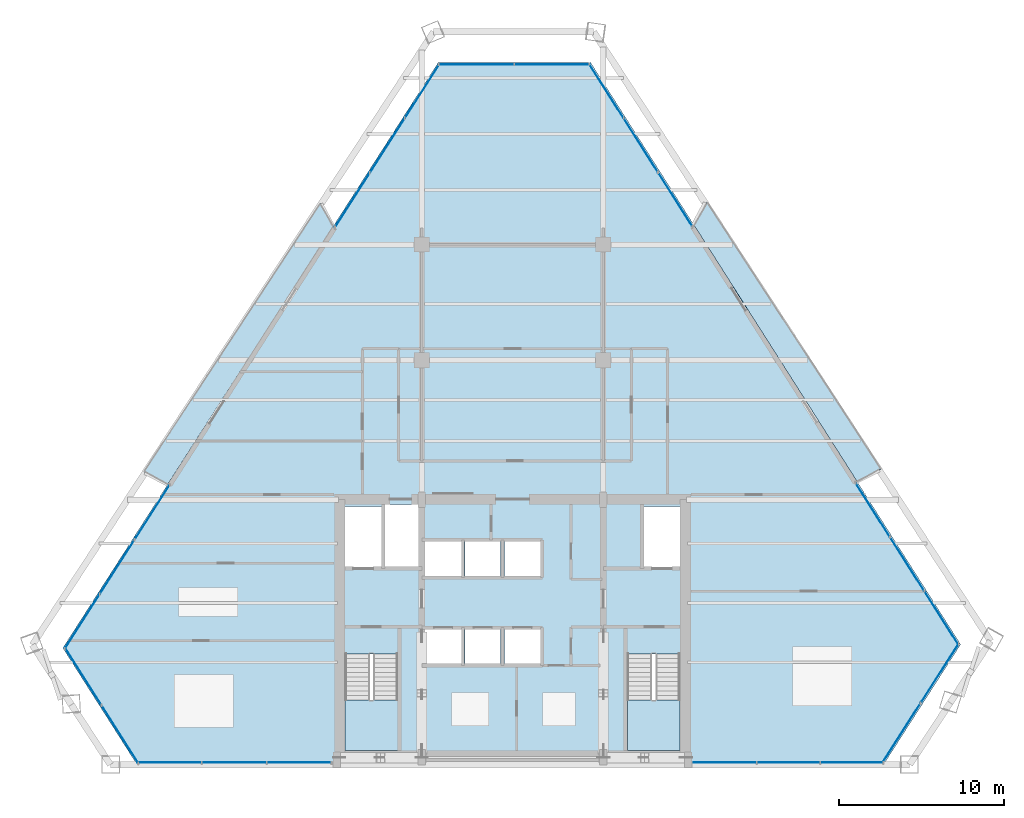
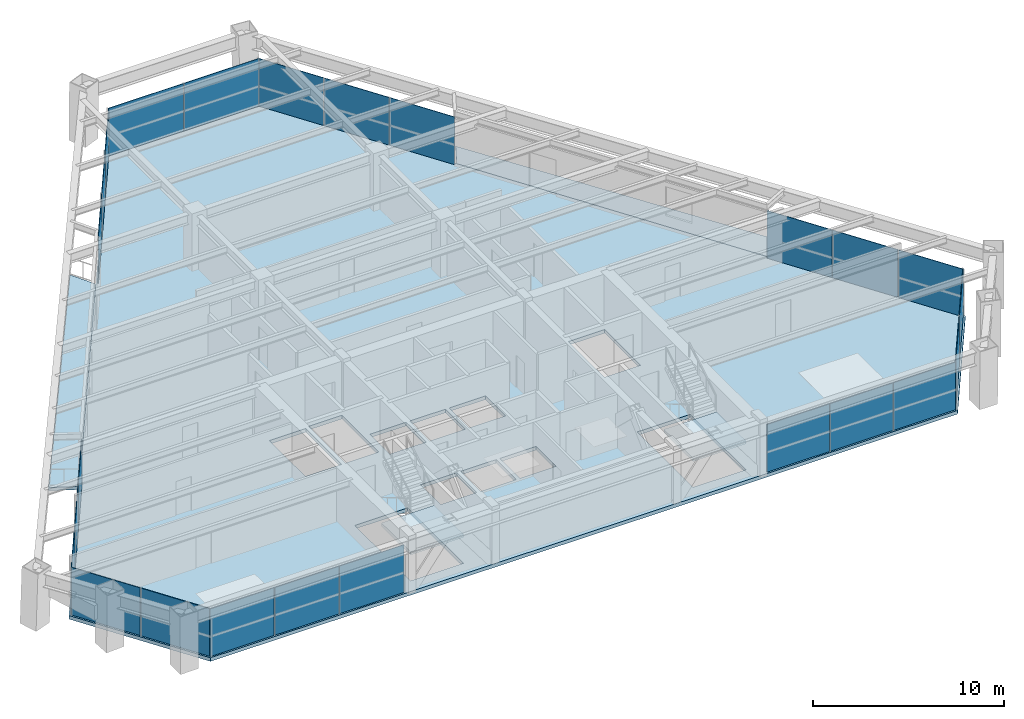
# One storey, part 10 of 15: 24 plates, 5 slabs, 11 elements without a shape of their own.
"""IFC4 building model written with IfcOpenShell, lengths in metres."""

from ifc_helpers import new_model, si_unit, direction, frame, origin, origin_2d, place, context, subcontext, project, spatial, polyline, rectangle, outline, extrude, source, transform, mapped, material, layer, layer_set, type_object, element, aggregate, save


model = new_model("IFC4")

# Units and contexts
model_context = context("Model", 3, precision=1e-05, world=origin(), true_north=direction((0.0, 1.0)))
body_context = subcontext(model_context, "Body", "Model", "MODEL_VIEW")
ifc_project = project(units=[si_unit("LENGTHUNIT", "METRE"), si_unit("AREAUNIT", "SQUARE_METRE"), si_unit("VOLUMEUNIT", "CUBIC_METRE"), si_unit("PLANEANGLEUNIT", "RADIAN"), si_unit("MASSUNIT", "GRAM", prefix="KILO")], contexts=[model_context])

# Site, building, storey
site_placement = place(None, origin())
site = spatial("IfcSite", under=ifc_project, at=site_placement, CompositionType="ELEMENT")
building_placement = place(site_placement, origin())
building = spatial("IfcBuilding", under=site, at=building_placement, Name="Varnakhor Terracotta Tower", CompositionType="ELEMENT")
storey_placement = place(building_placement, frame((0.0, 0.0, 155.199951171875)))
storey = spatial("IfcBuildingStorey", under=building, at=storey_placement, Name="L39", CompositionType="ELEMENT", Elevation=155.199951171875)

# Stair, slab
ifc_material_1 = material(Name="Concrete C40/50", Category="concrete")
stair_type = type_object("IfcStairType", Name="STR-CORE-OFFICE-1500", PredefinedType="HALF_TURN_STAIR", material=ifc_material_1)
stair_1_placement = place(storey_placement, origin())
stair_1 = element("IfcStair", 1, at=stair_1_placement, inside=storey, type_object=stair_type, Name="L39 Core Exit Stair ST-1", PredefinedType="HALF_TURN_STAIR")
ifc_layer_1 = layer(ifc_material_1, 0.179931640625, Name="Concrete C40/50")
ifc_layer_set_1 = layer_set([ifc_layer_1], Name="Concrete C40/50")
slab_type_1 = type_object("IfcSlabType", Name="SLB-LANDING-180", PredefinedType="LANDING", material=ifc_layer_set_1)
slab_1_placement = place(storey_placement, frame((0.0, 0.0, 1.650146484375)))
slab_1 = element("IfcSlab", 2, at=slab_1_placement, type_object=slab_type_1, Name="ST-1 landing 1", PredefinedType="LANDING", context=body_context, shape_type="SweptSolid", body=[
    extrude(outline(polyline([(-10.14990234375, 3.909912109375), (-10.14990234375, 0.85009765625), (-6.949951171875, 0.85009765625), (-6.949951171875, 3.909912109375), (-10.14990234375, 3.909912109375)])), origin(), (0.0, 0.0, 1.0), 0.199951171875),
])
aggregate(stair_1, [slab_1])

stair_2_placement = place(storey_placement, origin())
stair_2 = element("IfcStair", 3, at=stair_2_placement, inside=storey, type_object=stair_type, Name="L39 Core Exit Stair ST-2", PredefinedType="HALF_TURN_STAIR")
slab_2_placement = place(storey_placement, frame((0.0, 0.0, 1.650146484375)))
slab_2 = element("IfcSlab", 4, at=slab_2_placement, type_object=slab_type_1, Name="ST-2 landing 1", PredefinedType="LANDING", context=body_context, shape_type="SweptSolid", body=[
    extrude(outline(polyline([(6.949951171875, 3.909912109375), (6.949951171875, 0.85009765625), (10.14990234375, 0.85009765625), (10.14990234375, 3.909912109375), (6.949951171875, 3.909912109375)])), origin(), (0.0, 0.0, 1.0), 0.199951171875),
])
aggregate(stair_2, [slab_2])

# Slabs
ifc_layer_2 = layer(ifc_material_1, 0.195068359375, Name="Concrete C40/50")
ifc_layer_set_2 = layer_set([ifc_layer_2], Name="Concrete C40/50")
slab_type_2 = type_object("IfcSlabType", Name="SLB-LOGGIA-EXT-195", PredefinedType="FLOOR", material=ifc_layer_set_2)
slab_3_placement = place(storey_placement, frame((0.0, 0.0, -0.195068359375)))
element("IfcSlab", 5, at=slab_3_placement, inside=storey, type_object=slab_type_2, Name="L39 E Recessed Outdoor Loggia Slab", PredefinedType="FLOOR", context=body_context, shape_type="SweptSolid", body=[
    extrude(outline(polyline([(11.763427734375, 34.07421875), (22.312744140625, 17.89306640625), (20.87109375, 17.152099609375), (11.00732421875, 32.6630859375), (11.763427734375, 34.07421875)])), origin(), (0.0, 0.0, 1.0), 0.195068359375),
])
slab_4_placement = place(storey_placement, frame((0.0, 0.0, -0.195068359375)))
element("IfcSlab", 6, at=slab_4_placement, inside=storey, type_object=slab_type_2, Name="L39 W Recessed Outdoor Loggia Slab", PredefinedType="FLOOR", context=body_context, shape_type="SweptSolid", body=[
    extrude(outline(polyline([(-22.330078125, 17.728759765625), (-11.6328125, 34.010498046875), (-10.8740234375, 32.60205078125), (-14.015380859375, 27.702880859375), (-20.88134765625, 16.99462890625), (-22.330078125, 17.728759765625)])), origin(), (0.0, 0.0, 1.0), 0.195068359375),
])
ifc_layer_3 = layer(ifc_material_1, 0.22998046875, Name="Concrete C40/50")
ifc_layer_set_3 = layer_set([ifc_layer_3], Name="Concrete C40/50")
slab_type_3 = type_object("IfcSlabType", Name="SLB-OFF-230", PredefinedType="FLOOR", material=ifc_layer_set_3)
slab_5_placement = place(storey_placement, frame((0.0, 0.0, -0.22998046875)))
element("IfcSlab", 7, at=slab_5_placement, inside=storey, type_object=slab_type_3, Name="L39 Structural Floor Slab", PredefinedType="FLOOR", context=body_context, shape_type="SweptSolid", body=[
    extrude(outline(polyline([(-27.24951171875, 7.0625), (-4.505859375, 42.533935546875), (4.73046875, 42.533935546875), (27.14794921875, 7.28125), (22.479248046875, 0.0), (-22.75830078125, 0.0), (-27.24951171875, 7.0625)]), holes=[polyline([(-6.949951171875, 0.85009765625), (-6.949951171875, 6.695068359375), (-10.14990234375, 6.695068359375), (-10.14990234375, 0.85009765625), (-6.949951171875, 0.85009765625)]), polyline([(-3.10009765625, 6.10009765625), (-3.10009765625, 8.199951171875), (-5.300048828125, 8.199951171875), (-5.300048828125, 6.10009765625), (-3.10009765625, 6.10009765625)]), polyline([(-0.719970703125, 6.10009765625), (-0.719970703125, 8.199951171875), (-2.8798828125, 8.199951171875), (-2.8798828125, 6.10009765625), (-0.719970703125, 6.10009765625)]), polyline([(-5.300048828125, 11.419921875), (-3.10009765625, 11.419921875), (-3.10009765625, 13.52001953125), (-5.300048828125, 13.52001953125), (-5.300048828125, 11.419921875)]), polyline([(-10.14990234375, 11.8798828125), (-7.949951171875, 11.8798828125), (-7.949951171875, 15.64990234375), (-10.14990234375, 15.64990234375), (-10.14990234375, 11.8798828125)]), polyline([(-5.699951171875, 11.8798828125), (-5.699951171875, 15.75), (-7.72998046875, 15.75), (-7.72998046875, 11.8798828125), (-5.699951171875, 11.8798828125)]), polyline([(6.949951171875, 0.85009765625), (10.14990234375, 0.85009765625), (10.14990234375, 6.695068359375), (6.949951171875, 6.695068359375), (6.949951171875, 0.85009765625)]), polyline([(-0.5, 6.10009765625), (1.699951171875, 6.10009765625), (1.699951171875, 8.199951171875), (-0.5, 8.199951171875), (-0.5, 6.10009765625)]), polyline([(-0.719970703125, 11.419921875), (-0.719970703125, 13.52001953125), (-2.8798828125, 13.52001953125), (-2.8798828125, 11.419921875), (-0.719970703125, 11.419921875)]), polyline([(-0.5, 11.419921875), (1.699951171875, 11.419921875), (1.699951171875, 13.52001953125), (-0.5, 13.52001953125), (-0.5, 11.419921875)]), polyline([(7.949951171875, 11.8798828125), (10.14990234375, 11.8798828125), (10.14990234375, 15.64990234375), (7.949951171875, 15.64990234375), (7.949951171875, 11.8798828125)])]), origin(), (0.0, 0.0, 1.0), 0.22998046875),
])

# Curtain wall, plates
ifc_material_2 = material(Name="Anodised Aluminium Curtain Wall System", Category="aluminium")
curtain_wall_type = type_object("IfcCurtainWallType", Name="CW-SYS-MID-OFFICE", PredefinedType="NOTDEFINED", material=ifc_material_2)
curtain_wall_1_placement = place(storey_placement, origin())
curtain_wall_1 = element("IfcCurtainWall", 8, at=curtain_wall_1_placement, inside=storey, type_object=curtain_wall_type, Name="L39 W Facet Curtain Wall 1", PredefinedType="NOTDEFINED")
ifc_material_3 = material(Name="Solar-Control Low-E Insulated Glass Panel", Category="glass")
ifc_layer_4 = layer(ifc_material_3, 0.035888671875, Name="Solar-Control Low-E Insulated Glass Panel")
ifc_layer_set_4 = layer_set([ifc_layer_4], Name="Solar-Control Low-E Insulated Glass Panel")
plate_type = type_object("IfcPlateType", Name="CWP-03", PredefinedType="CURTAIN_PANEL", material=ifc_layer_set_4)
shared_shape_1 = source(origin(), body_context, "Body", "SweptSolid", [
    extrude(rectangle(XDim=3.872802734375, YDim=0.035888671875, at=origin_2d()), origin(), (0.0, 0.0, 1.0), 3.050048828125),
])
plate_1_placement = place(storey_placement, frame((-26.076416015625, 8.669921875, 0.0), z_axis=(0.0, 0.0, 1.0), x_axis=(0.539755555481, 0.841821798439, 0.0)))
plate_1 = element("IfcPlate", 9, at=plate_1_placement, type_object=plate_type, Name="L39 W Facet Curtain Wall 1 Glazed Panel 1", PredefinedType="CURTAIN_PANEL", context=body_context, shape_type="MappedRepresentation", body=[
    mapped(shared_shape_1, transform((0.0, 0.0, 0.0), scale=1.0)),
])
plate_2_placement = place(storey_placement, frame((-23.96435546875, 11.9638671875, 0.0), z_axis=(0.0, 0.0, 1.0), x_axis=(0.539755555481, 0.841821798439, 0.0)))
plate_2 = element("IfcPlate", 10, at=plate_2_placement, type_object=plate_type, Name="L39 W Facet Curtain Wall 1 Glazed Panel 2", PredefinedType="CURTAIN_PANEL", context=body_context, shape_type="MappedRepresentation", body=[
    mapped(shared_shape_1, transform((0.0, 0.0, 0.0), scale=1.0)),
])
plate_3_placement = place(storey_placement, frame((-21.8525390625, 15.257568359375, 0.0), z_axis=(0.0, 0.0, 1.0), x_axis=(0.539755555481, 0.841821798439, 0.0)))
plate_3 = element("IfcPlate", 11, at=plate_3_placement, type_object=plate_type, Name="L39 W Facet Curtain Wall 1 Glazed Panel 3", PredefinedType="CURTAIN_PANEL", context=body_context, shape_type="MappedRepresentation", body=[
    mapped(shared_shape_1, transform((0.0, 0.0, 0.0), scale=1.0)),
])
aggregate(curtain_wall_1, [plate_1, plate_2, plate_3])

curtain_wall_2_placement = place(storey_placement, origin())
curtain_wall_2 = element("IfcCurtainWall", 12, at=curtain_wall_2_placement, inside=storey, type_object=curtain_wall_type, Name="L39 W Facet Curtain Wall 2", PredefinedType="NOTDEFINED")
plate_4_placement = place(storey_placement, frame((-9.700927734375, 34.20947265625, 0.0), z_axis=(0.0, 0.0, 1.0), x_axis=(0.539755555481, 0.841821798439, 0.0)))
plate_4 = element("IfcPlate", 13, at=plate_4_placement, type_object=plate_type, Name="L39 W Facet Curtain Wall 2 Glazed Panel 1", PredefinedType="CURTAIN_PANEL", context=body_context, shape_type="MappedRepresentation", body=[
    mapped(shared_shape_1, transform((0.0, 0.0, 0.0), scale=1.0)),
])
plate_5_placement = place(storey_placement, frame((-7.589111328125, 37.503173828125, 0.0), z_axis=(0.0, 0.0, 1.0), x_axis=(0.539755555481, 0.841821798439, 0.0)))
plate_5 = element("IfcPlate", 14, at=plate_5_placement, type_object=plate_type, Name="L39 W Facet Curtain Wall 2 Glazed Panel 2", PredefinedType="CURTAIN_PANEL", context=body_context, shape_type="MappedRepresentation", body=[
    mapped(shared_shape_1, transform((0.0, 0.0, 0.0), scale=1.0)),
])
plate_6_placement = place(storey_placement, frame((-5.47705078125, 40.797119140625, 0.0), z_axis=(0.0, 0.0, 1.0), x_axis=(0.539755555481, 0.841821798439, 0.0)))
plate_6 = element("IfcPlate", 15, at=plate_6_placement, type_object=plate_type, Name="L39 W Facet Curtain Wall 2 Glazed Panel 3", PredefinedType="CURTAIN_PANEL", context=body_context, shape_type="MappedRepresentation", body=[
    mapped(shared_shape_1, transform((0.0, 0.0, 0.0), scale=1.0)),
])
aggregate(curtain_wall_2, [plate_4, plate_5, plate_6])

curtain_wall_3_placement = place(storey_placement, origin())
curtain_wall_3 = element("IfcCurtainWall", 16, at=curtain_wall_3_placement, inside=storey, type_object=curtain_wall_type, Name="L39 Facet Curtain Wall 2", PredefinedType="NOTDEFINED")
shared_shape_2 = source(origin(), body_context, "Body", "SweptSolid", [
    extrude(rectangle(XDim=4.548095703125, YDim=0.035888671875, at=origin_2d()), origin(), (0.0, 0.0, 1.0), 3.050048828125),
])
plate_7_placement = place(storey_placement, frame((-2.181884765625, 42.4140625, 0.0), z_axis=(0.0, 0.0, 1.0), x_axis=(1.0, 0.0, 0.0)))
plate_7 = element("IfcPlate", 17, at=plate_7_placement, type_object=plate_type, Name="L39 Facet Curtain Wall 2 Glazed Panel 1", PredefinedType="CURTAIN_PANEL", context=body_context, shape_type="MappedRepresentation", body=[
    mapped(shared_shape_2, transform((0.0, 0.0, 0.0), scale=1.0)),
])
plate_8_placement = place(storey_placement, frame((2.406494140625, 42.4140625, 0.0), z_axis=(0.0, 0.0, 1.0), x_axis=(1.0, 0.0, 0.0)))
plate_8 = element("IfcPlate", 18, at=plate_8_placement, type_object=plate_type, Name="L39 Facet Curtain Wall 2 Glazed Panel 2", PredefinedType="CURTAIN_PANEL", context=body_context, shape_type="MappedRepresentation", body=[
    mapped(shared_shape_2, transform((0.0, 0.0, 0.0), scale=1.0)),
])
aggregate(curtain_wall_3, [plate_7, plate_8])

curtain_wall_4_placement = place(storey_placement, origin())
curtain_wall_4 = element("IfcCurtainWall", 19, at=curtain_wall_4_placement, inside=storey, type_object=curtain_wall_type, Name="L39 E Facet Curtain Wall 1", PredefinedType="NOTDEFINED")
shared_shape_3 = source(origin(), body_context, "Body", "SweptSolid", [
    extrude(rectangle(XDim=3.839111328125, YDim=0.035888671875, at=origin_2d()), origin(), (0.0, 0.0, 1.0), 3.050048828125),
])
plate_9_placement = place(storey_placement, frame((5.68603515625, 40.8076171875, 0.0), z_axis=(0.0, 0.0, 1.0), x_axis=(0.536592861915, -0.843841276865, 0.0)))
plate_9 = element("IfcPlate", 20, at=plate_9_placement, type_object=plate_type, Name="L39 E Facet Curtain Wall 1 Glazed Panel 1", PredefinedType="CURTAIN_PANEL", context=body_context, shape_type="MappedRepresentation", body=[
    mapped(shared_shape_3, transform((0.0, 0.0, 0.0), scale=1.0)),
])
plate_10_placement = place(storey_placement, frame((7.767578125, 37.5341796875, 0.0), z_axis=(0.0, 0.0, 1.0), x_axis=(0.536592861915, -0.843841276865, 0.0)))
plate_10 = element("IfcPlate", 21, at=plate_10_placement, type_object=plate_type, Name="L39 E Facet Curtain Wall 1 Glazed Panel 2", PredefinedType="CURTAIN_PANEL", context=body_context, shape_type="MappedRepresentation", body=[
    mapped(shared_shape_3, transform((0.0, 0.0, 0.0), scale=1.0)),
])
plate_11_placement = place(storey_placement, frame((9.849365234375, 34.2607421875, 0.0), z_axis=(0.0, 0.0, 1.0), x_axis=(0.536592861915, -0.843841276865, 0.0)))
plate_11 = element("IfcPlate", 22, at=plate_11_placement, type_object=plate_type, Name="L39 E Facet Curtain Wall 1 Glazed Panel 3", PredefinedType="CURTAIN_PANEL", context=body_context, shape_type="MappedRepresentation", body=[
    mapped(shared_shape_3, transform((0.0, 0.0, 0.0), scale=1.0)),
])
aggregate(curtain_wall_4, [plate_9, plate_10, plate_11])

curtain_wall_5_placement = place(storey_placement, origin())
curtain_wall_5 = element("IfcCurtainWall", 23, at=curtain_wall_5_placement, inside=storey, type_object=curtain_wall_type, Name="L39 E Facet Curtain Wall 2", PredefinedType="NOTDEFINED")
plate_12_placement = place(storey_placement, frame((21.82666015625, 15.425537109375, 0.0), z_axis=(0.0, 0.0, 1.0), x_axis=(0.536592861915, -0.843841276865, 0.0)))
plate_12 = element("IfcPlate", 24, at=plate_12_placement, type_object=plate_type, Name="L39 E Facet Curtain Wall 2 Glazed Panel 1", PredefinedType="CURTAIN_PANEL", context=body_context, shape_type="MappedRepresentation", body=[
    mapped(shared_shape_3, transform((0.0, 0.0, 0.0), scale=1.0)),
])
plate_13_placement = place(storey_placement, frame((23.908203125, 12.152099609375, 0.0), z_axis=(0.0, 0.0, 1.0), x_axis=(0.536592861915, -0.843841276865, 0.0)))
plate_13 = element("IfcPlate", 25, at=plate_13_placement, type_object=plate_type, Name="L39 E Facet Curtain Wall 2 Glazed Panel 2", PredefinedType="CURTAIN_PANEL", context=body_context, shape_type="MappedRepresentation", body=[
    mapped(shared_shape_3, transform((0.0, 0.0, 0.0), scale=1.0)),
])
plate_14_placement = place(storey_placement, frame((25.98974609375, 8.87890625, 0.0), z_axis=(0.0, 0.0, 1.0), x_axis=(0.536592861915, -0.843841276865, 0.0)))
plate_14 = element("IfcPlate", 26, at=plate_14_placement, type_object=plate_type, Name="L39 E Facet Curtain Wall 2 Glazed Panel 3", PredefinedType="CURTAIN_PANEL", context=body_context, shape_type="MappedRepresentation", body=[
    mapped(shared_shape_3, transform((0.0, 0.0, 0.0), scale=1.0)),
])
aggregate(curtain_wall_5, [plate_12, plate_13, plate_14])

curtain_wall_6_placement = place(storey_placement, origin())
curtain_wall_6 = element("IfcCurtainWall", 27, at=curtain_wall_6_placement, inside=storey, type_object=curtain_wall_type, Name="L39 Facet Curtain Wall 4", PredefinedType="NOTDEFINED")
shared_shape_4 = source(origin(), body_context, "Body", "SweptSolid", [
    extrude(rectangle(XDim=4.254638671875, YDim=0.035888671875, at=origin_2d()), origin(), (0.0, 0.0, 1.0), 3.050048828125),
])
plate_15_placement = place(storey_placement, frame((25.87158203125, 5.512939453125, 0.0), z_axis=(0.0, 0.0, 1.0), x_axis=(-0.539755555481, -0.841821798439, 0.0)))
plate_15 = element("IfcPlate", 28, at=plate_15_placement, type_object=plate_type, Name="L39 Facet Curtain Wall 4 Glazed Panel 1", PredefinedType="CURTAIN_PANEL", context=body_context, shape_type="MappedRepresentation", body=[
    mapped(shared_shape_4, transform((0.0, 0.0, 0.0), scale=1.0)),
])
plate_16_placement = place(storey_placement, frame((23.5537109375, 1.897705078125, 0.0), z_axis=(0.0, 0.0, 1.0), x_axis=(-0.539755555481, -0.841821798439, 0.0)))
plate_16 = element("IfcPlate", 29, at=plate_16_placement, type_object=plate_type, Name="L39 Facet Curtain Wall 4 Glazed Panel 2", PredefinedType="CURTAIN_PANEL", context=body_context, shape_type="MappedRepresentation", body=[
    mapped(shared_shape_4, transform((0.0, 0.0, 0.0), scale=1.0)),
])
aggregate(curtain_wall_6, [plate_15, plate_16])

curtain_wall_7_placement = place(storey_placement, origin())
curtain_wall_7 = element("IfcCurtainWall", 30, at=curtain_wall_7_placement, inside=storey, type_object=curtain_wall_type, Name="L39 South Wing Curtain Wall SSE", PredefinedType="NOTDEFINED")
shared_shape_5 = source(origin(), body_context, "Body", "SweptSolid", [
    extrude(rectangle(XDim=3.793212890625, YDim=0.035888671875, at=origin_2d()), origin(), (0.0, 0.0, 1.0), 3.050048828125),
])
plate_17_placement = place(storey_placement, frame((20.552734375, 0.1201171875, 0.0), z_axis=(0.0, 0.0, 1.0), x_axis=(-1.0, 0.0, 0.0)))
plate_17 = element("IfcPlate", 31, at=plate_17_placement, type_object=plate_type, Name="L39 South Wing Curtain Wall SSE Glazed Panel 1", PredefinedType="CURTAIN_PANEL", context=body_context, shape_type="MappedRepresentation", body=[
    mapped(shared_shape_5, transform((0.0, 0.0, 0.0), scale=1.0)),
])
plate_18_placement = place(storey_placement, frame((16.7197265625, 0.1201171875, 0.0), z_axis=(0.0, 0.0, 1.0), x_axis=(-1.0, 0.0, 0.0)))
plate_18 = element("IfcPlate", 32, at=plate_18_placement, type_object=plate_type, Name="L39 South Wing Curtain Wall SSE Glazed Panel 2", PredefinedType="CURTAIN_PANEL", context=body_context, shape_type="MappedRepresentation", body=[
    mapped(shared_shape_5, transform((0.0, 0.0, 0.0), scale=1.0)),
])
plate_19_placement = place(storey_placement, frame((12.886474609375, 0.1201171875, 0.0), z_axis=(0.0, 0.0, 1.0), x_axis=(-1.0, 0.0, 0.0)))
plate_19 = element("IfcPlate", 33, at=plate_19_placement, type_object=plate_type, Name="L39 South Wing Curtain Wall SSE Glazed Panel 3", PredefinedType="CURTAIN_PANEL", context=body_context, shape_type="MappedRepresentation", body=[
    mapped(shared_shape_5, transform((0.0, 0.0, 0.0), scale=1.0)),
])
aggregate(curtain_wall_7, [plate_17, plate_18, plate_19])

curtain_wall_8_placement = place(storey_placement, origin())
curtain_wall_8 = element("IfcCurtainWall", 34, at=curtain_wall_8_placement, inside=storey, type_object=curtain_wall_type, Name="L39 South Wing Curtain Wall SSW", PredefinedType="NOTDEFINED")
shared_shape_6 = source(origin(), body_context, "Body", "SweptSolid", [
    extrude(rectangle(XDim=3.885986328125, YDim=0.035888671875, at=origin_2d()), origin(), (0.0, 0.0, 1.0), 3.050048828125),
])
plate_20_placement = place(storey_placement, frame((-12.93310546875, 0.1201171875, 0.0), z_axis=(0.0, 0.0, 1.0), x_axis=(-1.0, 0.0, 0.0)))
plate_20 = element("IfcPlate", 35, at=plate_20_placement, type_object=plate_type, Name="L39 South Wing Curtain Wall SSW Glazed Panel 1", PredefinedType="CURTAIN_PANEL", context=body_context, shape_type="MappedRepresentation", body=[
    mapped(shared_shape_6, transform((0.0, 0.0, 0.0), scale=1.0)),
])
plate_21_placement = place(storey_placement, frame((-20.785400390625, 0.1201171875, 0.0), z_axis=(0.0, 0.0, 1.0), x_axis=(-1.0, 0.0, 0.0)))
plate_21 = element("IfcPlate", 36, at=plate_21_placement, type_object=plate_type, Name="L39 South Wing Curtain Wall SSW Glazed Panel 3", PredefinedType="CURTAIN_PANEL", context=body_context, shape_type="MappedRepresentation", body=[
    mapped(shared_shape_6, transform((0.0, 0.0, 0.0), scale=1.0)),
])
shared_shape_7 = source(origin(), body_context, "Body", "SweptSolid", [
    extrude(rectangle(XDim=3.88623046875, YDim=0.035888671875, at=origin_2d()), origin(), (0.0, 0.0, 1.0), 3.050048828125),
])
plate_22_placement = place(storey_placement, frame((-16.859130859375, 0.1201171875, 0.0), z_axis=(0.0, 0.0, 1.0), x_axis=(-1.0, 0.0, 0.0)))
plate_22 = element("IfcPlate", 37, at=plate_22_placement, type_object=plate_type, Name="L39 South Wing Curtain Wall SSW Glazed Panel 2", PredefinedType="CURTAIN_PANEL", context=body_context, shape_type="MappedRepresentation", body=[
    mapped(shared_shape_7, transform((0.0, 0.0, 0.0), scale=1.0)),
])
aggregate(curtain_wall_8, [plate_20, plate_22, plate_21])

curtain_wall_9_placement = place(storey_placement, origin())
curtain_wall_9 = element("IfcCurtainWall", 38, at=curtain_wall_9_placement, inside=storey, type_object=curtain_wall_type, Name="L39 Facet Curtain Wall 6", PredefinedType="NOTDEFINED")
shared_shape_8 = source(origin(), body_context, "Body", "SweptSolid", [
    extrude(rectangle(XDim=4.11474609375, YDim=0.035888671875, at=origin_2d()), origin(), (0.0, 0.0, 1.0), 3.050048828125),
])
plate_23_placement = place(storey_placement, frame((-23.7880859375, 1.8427734375, 0.0), z_axis=(0.0, 0.0, 1.0), x_axis=(-0.536607589642, 0.843831911425, 0.0)))
plate_23 = element("IfcPlate", 39, at=plate_23_placement, type_object=plate_type, Name="L39 Facet Curtain Wall 6 Glazed Panel 1", PredefinedType="CURTAIN_PANEL", context=body_context, shape_type="MappedRepresentation", body=[
    mapped(shared_shape_8, transform((0.0, 0.0, 0.0), scale=1.0)),
])
plate_24_placement = place(storey_placement, frame((-26.017578125, 5.3486328125, 0.0), z_axis=(0.0, 0.0, 1.0), x_axis=(-0.536607589642, 0.843831911425, 0.0)))
plate_24 = element("IfcPlate", 40, at=plate_24_placement, type_object=plate_type, Name="L39 Facet Curtain Wall 6 Glazed Panel 2", PredefinedType="CURTAIN_PANEL", context=body_context, shape_type="MappedRepresentation", body=[
    mapped(shared_shape_8, transform((0.0, 0.0, 0.0), scale=1.0)),
])
aggregate(curtain_wall_9, [plate_23, plate_24])

save(model, "model.ifc")
